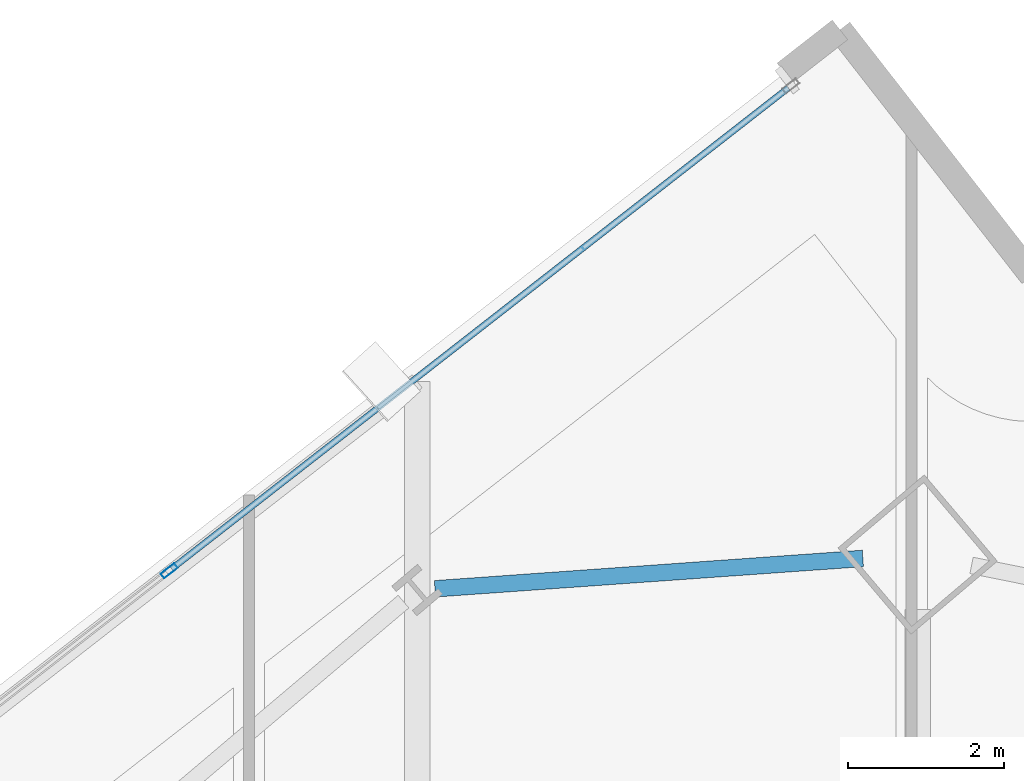
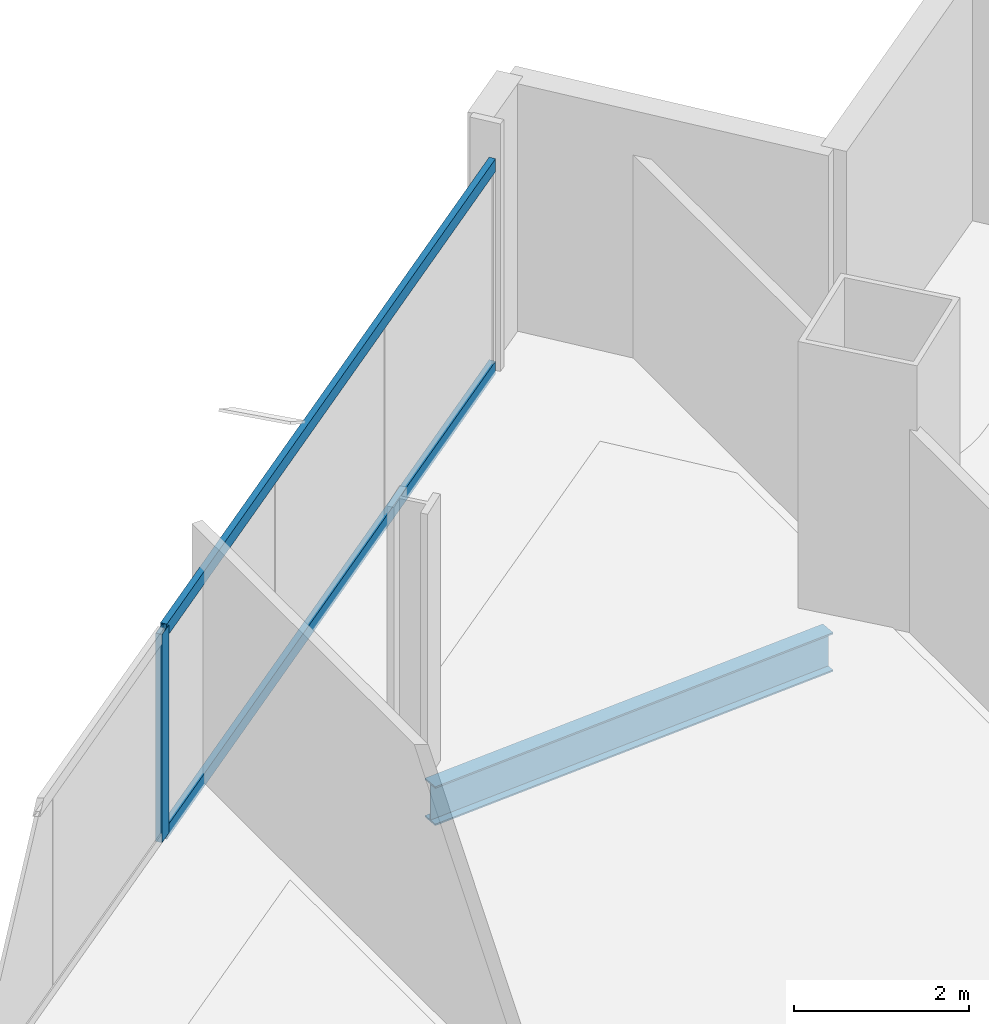
# One storey, part 16 of 32: 3 members, 1 beam, 1 element without a shape of its own.
"""IFC4 building model written with IfcOpenShell, lengths in metres."""

from ifc_helpers import new_model, si_unit, direction, frame, origin, origin_2d, place, context, subcontext, project, spatial, hollow_rectangle, i_section, extrude, material, material_profile, profile_set, type_object, element, aggregate, save


model = new_model("IFC4")

# Units and contexts
model_context = context("Model", 3, precision=1e-05, world=origin(), true_north=direction((0.0, 1.0)))
body_context = subcontext(model_context, "Body", "Model", "MODEL_VIEW")
ifc_project = project(units=[si_unit("LENGTHUNIT", "METRE"), si_unit("AREAUNIT", "SQUARE_METRE"), si_unit("VOLUMEUNIT", "CUBIC_METRE"), si_unit("PLANEANGLEUNIT", "RADIAN"), si_unit("MASSUNIT", "GRAM", prefix="KILO")], contexts=[model_context])

# Site, building, storey
site_placement = place(None, origin())
site = spatial("IfcSite", under=ifc_project, at=site_placement, CompositionType="ELEMENT")
building_placement = place(site_placement, origin())
building = spatial("IfcBuilding", under=site, at=building_placement, Name="Haldenkirk Collegiate Tower", CompositionType="ELEMENT")
storey_placement = place(building_placement, frame((0.0, 0.0, 155.699951171875)))
storey = spatial("IfcBuildingStorey", under=building, at=storey_placement, Name="L38", CompositionType="ELEMENT", Elevation=155.699951171875)

# Beam
ifc_material_1 = material(Name="Steel ASTM A992 Grade 50", Category="steel")
ifc_material_profile_1 = material_profile(ifc_material_1, i_section(OverallWidth=0.2119140625, OverallDepth=0.5439453125, WebThickness=0.01318359375, FlangeThickness=0.021240234375, at=origin_2d()), Name="W21X83")
ifc_profile_set_1 = profile_set([ifc_material_profile_1], Name="Steel ASTM A992 Grade 50")
beam_type = type_object("IfcBeamType", Name="BM-SPANDREL-W21X83", PredefinedType="SPANDREL", material=ifc_profile_set_1)
beam_placement = place(storey_placement, frame((38.373779296875, 51.025146484375, -0.56201171875), z_axis=(-0.997489017738, -0.070821320891, 0.0), x_axis=(0.070821320891, -0.997489017738, 0.0)))
element("IfcBeam", 1, at=beam_placement, inside=storey, type_object=beam_type, Name="L38 perimeter spandrel beam 09", PredefinedType="SPANDREL", context=body_context, shape_type="SweptSolid", body=[
    extrude(i_section(OverallWidth=0.2119140625, OverallDepth=0.5439453125, WebThickness=0.01318359375, FlangeThickness=0.021240234375, at=origin_2d()), origin(), (0.0, 0.0, 1.0), 5.501953125),
])

# Curtain wall, members
ifc_material_2 = material(Name="Anodised architectural bronze aluminium", Category="aluminium")
curtain_wall_type = type_object("IfcCurtainWallType", Name="CW-SYS1-CONVEX-LOW", PredefinedType="USERDEFINED", material=ifc_material_2)
curtain_wall_placement = place(storey_placement, origin())
curtain_wall = element("IfcCurtainWall", 2, at=curtain_wall_placement, inside=storey, type_object=curtain_wall_type, Name="L38 Lower tower convex bronze-framed unitised curtain wall", ObjectType="UNITISED CURTAIN WALL", PredefinedType="USERDEFINED")
ifc_material_profile_2 = material_profile(ifc_material_2, hollow_rectangle(XDim=0.080078125, YDim=0.219970703125, WallThickness=0.0048828125, at=origin_2d()), Name="CW-MUL-1A")
ifc_profile_set_2 = profile_set([ifc_material_profile_2], Name="Anodised architectural bronze aluminium")
member_type_1 = type_object("IfcMemberType", Name="CW-MUL-1A", PredefinedType="MULLION", material=ifc_profile_set_2)
member_1_placement = place(storey_placement, frame((29.47802734375, 50.867431640625, 0.0), z_axis=(0.0, 0.0, 1.0), x_axis=(-0.614973604921, 0.788547693707, 0.0)))
member_1 = element("IfcMember", 3, at=member_1_placement, type_object=member_type_1, Name="CW-1A mullion 4", PredefinedType="MULLION", context=body_context, shape_type="SweptSolid", body=[
    extrude(hollow_rectangle(XDim=0.080078125, YDim=0.219970703125, WallThickness=0.0048828125, at=origin_2d()), origin(), (0.0, 0.0, 1.0), 2.9111328125),
])
ifc_material_profile_3 = material_profile(ifc_material_2, hollow_rectangle(XDim=0.080078125, YDim=0.179931640625, WallThickness=0.0048828125, at=origin_2d()), Name="CW-TRN-1A")
ifc_profile_set_3 = profile_set([ifc_material_profile_3], Name="Anodised architectural bronze aluminium")
member_type_2 = type_object("IfcMemberType", Name="CW-TRN-1A", PredefinedType="USERDEFINED", material=ifc_profile_set_3)
member_2_placement = place(storey_placement, frame((29.509521484375, 50.89208984375, 0.0400390625), z_axis=(0.78854810421, 0.614973078555, 0.0), x_axis=(-0.614973078555, 0.78854810421, 0.0)))
member_2 = element("IfcMember", 4, at=member_2_placement, type_object=member_type_2, Name="CW-1A transom 4.1", ObjectType="TRANSOM", PredefinedType="USERDEFINED", context=body_context, shape_type="SweptSolid", body=[
    extrude(hollow_rectangle(XDim=0.080078125, YDim=0.179931640625, WallThickness=0.0048828125, at=origin_2d()), origin(), (0.0, 0.0, 1.0), 10.030029296875),
])
member_3_placement = place(storey_placement, frame((29.509521484375, 50.89208984375, 2.87109375), z_axis=(0.78854810421, 0.614973078555, 0.0), x_axis=(-0.614973078555, 0.78854810421, 0.0)))
member_3 = element("IfcMember", 5, at=member_3_placement, type_object=member_type_2, Name="CW-1A transom 4.2", ObjectType="TRANSOM", PredefinedType="USERDEFINED", context=body_context, shape_type="SweptSolid", body=[
    extrude(hollow_rectangle(XDim=0.080078125, YDim=0.179931640625, WallThickness=0.0048828125, at=origin_2d()), origin(), (0.0, 0.0, 1.0), 10.030029296875),
])
aggregate(curtain_wall, [member_1, member_2, member_3])

save(model, "model.ifc")
